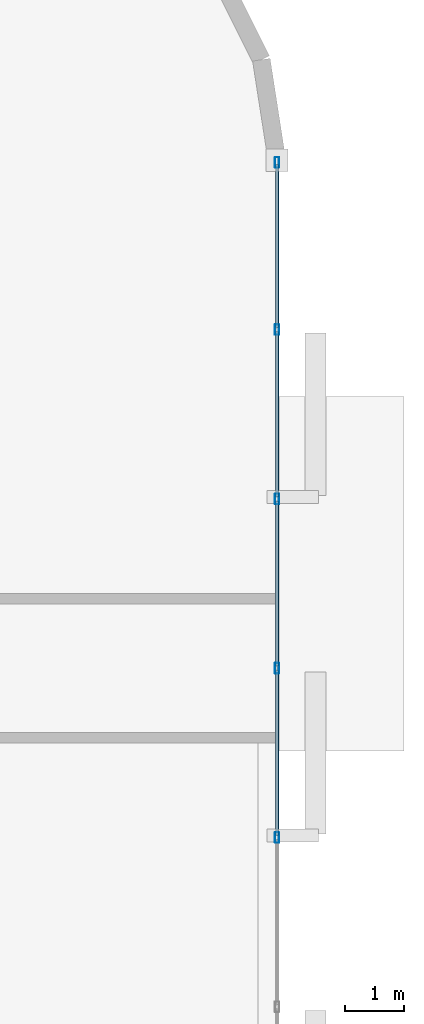
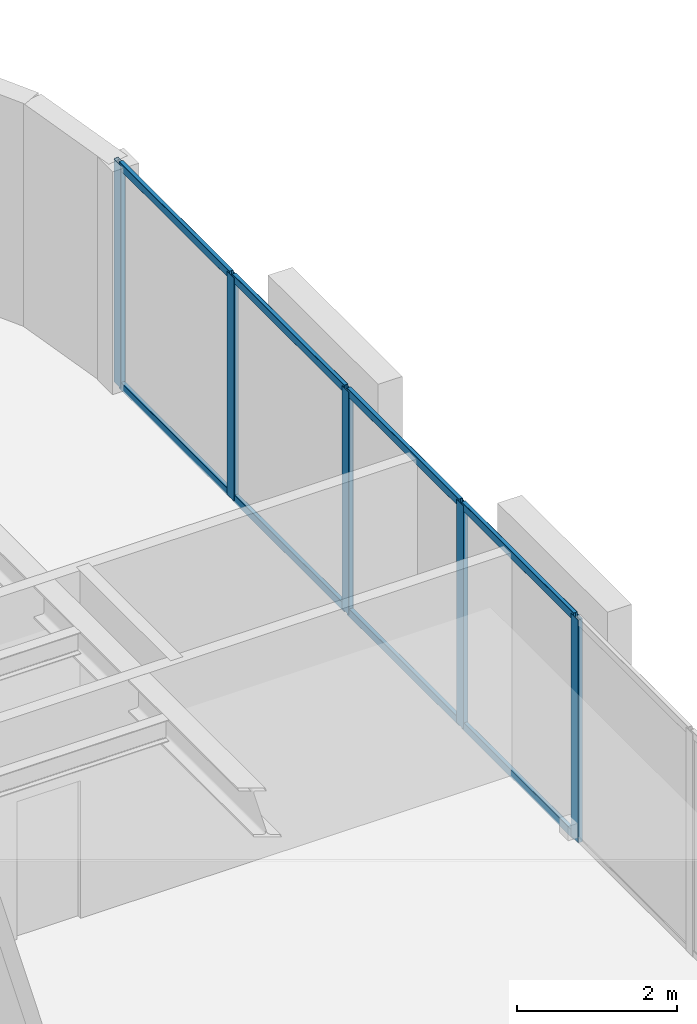
# One storey, part 6 of 16: 13 members, 1 element without a shape of its own.
"""IFC4 building model written with IfcOpenShell, lengths in metres."""

from ifc_helpers import new_model, si_unit, direction, frame, origin, origin_2d, place, context, subcontext, project, spatial, hollow_rectangle, extrude, material, layer, layer_set, material_profile, profile_set, type_object, element, aggregate, save


model = new_model("IFC4")

# Units and contexts
model_context = context("Model", 3, precision=1e-05, world=origin(), true_north=direction((0.0, 1.0)))
body_context = subcontext(model_context, "Body", "Model", "MODEL_VIEW")
ifc_project = project(units=[si_unit("LENGTHUNIT", "METRE"), si_unit("AREAUNIT", "SQUARE_METRE"), si_unit("VOLUMEUNIT", "CUBIC_METRE"), si_unit("PLANEANGLEUNIT", "RADIAN"), si_unit("MASSUNIT", "GRAM", prefix="KILO")], contexts=[model_context])

# Site, building, storey
site_placement = place(None, origin())
site = spatial("IfcSite", under=ifc_project, at=site_placement, CompositionType="ELEMENT")
building_placement = place(site_placement, origin())
building = spatial("IfcBuilding", under=site, at=building_placement, Name="An Khanh Terracotta Commons", CompositionType="ELEMENT")
storey_placement = place(building_placement, frame((0.0, 0.0, 118.699951171875)))
storey = spatial("IfcBuildingStorey", under=building, at=storey_placement, Name="L31", CompositionType="ELEMENT", Elevation=118.699951171875)

# Curtain wall, members
ifc_material = material(Name="Anodised Aluminium 6063-T6", Category="aluminium")
ifc_layer = layer(ifc_material, 0.199951171875, Name="Anodised Aluminium 6063-T6")
ifc_layer_set = layer_set([ifc_layer], Name="Anodised Aluminium 6063-T6")
curtain_wall_type = type_object("IfcCurtainWallType", Name="CW-SYS-02", PredefinedType="USERDEFINED", material=ifc_layer_set)
curtain_wall_placement = place(storey_placement, origin())
curtain_wall = element("IfcCurtainWall", 1, at=curtain_wall_placement, inside=storey, type_object=curtain_wall_type, Name="L31 CW-02 Unitised Curtain Wall CW-L31-12", ObjectType="UNITISED CURTAIN WALL", PredefinedType="USERDEFINED")
ifc_material_profile_1 = material_profile(ifc_material, hollow_rectangle(XDim=0.070068359375, YDim=0.179931640625, WallThickness=0.00390625, InnerFilletRadius=0.00390625, OuterFilletRadius=0.008056640625, at=origin_2d()), Name="RHS180x70x4")
ifc_profile_set_1 = profile_set([ifc_material_profile_1], Name="Anodised Aluminium 6063-T6")
member_type_1 = type_object("IfcMemberType", Name="CWM-RHS180x70x4", PredefinedType="MULLION", material=ifc_profile_set_1)
member_1_placement = place(storey_placement, frame((57.39990234375, 21.13330078125, 0.0), z_axis=(0.0, 0.0, 1.0), x_axis=(-1.0, 0.0, 0.0)))
member_1 = element("IfcMember", 2, at=member_1_placement, type_object=member_type_1, Name="CW-02 mullion 3", PredefinedType="MULLION", context=body_context, shape_type="SweptSolid", body=[
    extrude(hollow_rectangle(XDim=0.070068359375, YDim=0.179931640625, WallThickness=0.00390625, InnerFilletRadius=0.00390625, OuterFilletRadius=0.008056640625, at=origin_2d()), origin(), (0.0, 0.0, 1.0), 3.400146484375),
])
member_2_placement = place(storey_placement, frame((57.39990234375, 24.0, 0.0), z_axis=(0.0, 0.0, 1.0), x_axis=(-1.0, 0.0, 0.0)))
member_2 = element("IfcMember", 3, at=member_2_placement, type_object=member_type_1, Name="CW-02 mullion 4", PredefinedType="MULLION", context=body_context, shape_type="SweptSolid", body=[
    extrude(hollow_rectangle(XDim=0.070068359375, YDim=0.179931640625, WallThickness=0.00390625, InnerFilletRadius=0.00390625, OuterFilletRadius=0.008056640625, at=origin_2d()), origin(), (0.0, 0.0, 1.0), 3.400146484375),
])
member_3_placement = place(storey_placement, frame((57.39990234375, 26.86669921875, 0.0), z_axis=(0.0, 0.0, 1.0), x_axis=(-1.0, 0.0, 0.0)))
member_3 = element("IfcMember", 4, at=member_3_placement, type_object=member_type_1, Name="CW-02 mullion 5", PredefinedType="MULLION", context=body_context, shape_type="SweptSolid", body=[
    extrude(hollow_rectangle(XDim=0.070068359375, YDim=0.179931640625, WallThickness=0.00390625, InnerFilletRadius=0.00390625, OuterFilletRadius=0.008056640625, at=origin_2d()), origin(), (0.0, 0.0, 1.0), 3.400146484375),
])
member_4_placement = place(storey_placement, frame((57.39990234375, 29.7333984375, 0.0), z_axis=(0.0, 0.0, 1.0), x_axis=(-1.0, 0.0, 0.0)))
member_4 = element("IfcMember", 5, at=member_4_placement, type_object=member_type_1, Name="CW-02 mullion 6", PredefinedType="MULLION", context=body_context, shape_type="SweptSolid", body=[
    extrude(hollow_rectangle(XDim=0.070068359375, YDim=0.179931640625, WallThickness=0.00390625, InnerFilletRadius=0.00390625, OuterFilletRadius=0.008056640625, at=origin_2d()), origin(), (0.0, 0.0, 1.0), 3.400146484375),
])
member_5_placement = place(storey_placement, frame((57.39990234375, 32.56494140625, 0.0), z_axis=(0.0, 0.0, 1.0), x_axis=(-1.0, 0.0, 0.0)))
member_5 = element("IfcMember", 6, at=member_5_placement, type_object=member_type_1, Name="CW-02 mullion 7", PredefinedType="MULLION", context=body_context, shape_type="SweptSolid", body=[
    extrude(hollow_rectangle(XDim=0.070068359375, YDim=0.179931640625, WallThickness=0.00390625, InnerFilletRadius=0.00390625, OuterFilletRadius=0.008056640625, at=origin_2d()), origin(), (0.0, 0.0, 1.0), 3.400146484375),
])
ifc_material_profile_2 = material_profile(ifc_material, hollow_rectangle(XDim=0.06005859375, YDim=0.1201171875, WallThickness=0.003662109375, InnerFilletRadius=0.003662109375, OuterFilletRadius=0.007080078125, at=origin_2d()), Name="RHS120x60x3.6")
ifc_profile_set_2 = profile_set([ifc_material_profile_2], Name="Anodised Aluminium 6063-T6")
member_type_2 = type_object("IfcMemberType", Name="CWT-RHS120x60x3.6", PredefinedType="USERDEFINED", material=ifc_profile_set_2)
member_6_placement = place(storey_placement, frame((57.39990234375, 21.168212890625, 0.030029296875), z_axis=(0.0, 1.0, 0.0), x_axis=(-1.0, 0.0, 0.0)))
member_6 = element("IfcMember", 7, at=member_6_placement, type_object=member_type_2, Name="CW-02 transom 3.1", ObjectType="TRANSOM", PredefinedType="USERDEFINED", context=body_context, shape_type="SweptSolid", body=[
    extrude(hollow_rectangle(XDim=0.06005859375, YDim=0.1201171875, WallThickness=0.003662109375, InnerFilletRadius=0.003662109375, OuterFilletRadius=0.007080078125, at=origin_2d()), origin(), (0.0, 0.0, 1.0), 2.796875),
])
member_7_placement = place(storey_placement, frame((57.39990234375, 21.168212890625, 3.3701171875), z_axis=(0.0, 1.0, 0.0), x_axis=(-1.0, 0.0, 0.0)))
member_7 = element("IfcMember", 8, at=member_7_placement, type_object=member_type_2, Name="CW-02 transom 3.2", ObjectType="TRANSOM", PredefinedType="USERDEFINED", context=body_context, shape_type="SweptSolid", body=[
    extrude(hollow_rectangle(XDim=0.06005859375, YDim=0.1201171875, WallThickness=0.003662109375, InnerFilletRadius=0.003662109375, OuterFilletRadius=0.007080078125, at=origin_2d()), origin(), (0.0, 0.0, 1.0), 2.796875),
])
member_8_placement = place(storey_placement, frame((57.39990234375, 24.034912109375, 0.030029296875), z_axis=(0.0, 1.0, 0.0), x_axis=(-1.0, 0.0, 0.0)))
member_8 = element("IfcMember", 9, at=member_8_placement, type_object=member_type_2, Name="CW-02 transom 4.1", ObjectType="TRANSOM", PredefinedType="USERDEFINED", context=body_context, shape_type="SweptSolid", body=[
    extrude(hollow_rectangle(XDim=0.06005859375, YDim=0.1201171875, WallThickness=0.003662109375, InnerFilletRadius=0.003662109375, OuterFilletRadius=0.007080078125, at=origin_2d()), origin(), (0.0, 0.0, 1.0), 2.796875),
])
member_9_placement = place(storey_placement, frame((57.39990234375, 24.034912109375, 3.3701171875), z_axis=(0.0, 1.0, 0.0), x_axis=(-1.0, 0.0, 0.0)))
member_9 = element("IfcMember", 10, at=member_9_placement, type_object=member_type_2, Name="CW-02 transom 4.2", ObjectType="TRANSOM", PredefinedType="USERDEFINED", context=body_context, shape_type="SweptSolid", body=[
    extrude(hollow_rectangle(XDim=0.06005859375, YDim=0.1201171875, WallThickness=0.003662109375, InnerFilletRadius=0.003662109375, OuterFilletRadius=0.007080078125, at=origin_2d()), origin(), (0.0, 0.0, 1.0), 2.796875),
])
member_10_placement = place(storey_placement, frame((57.39990234375, 26.901611328125, 0.030029296875), z_axis=(0.0, 1.0, 0.0), x_axis=(-1.0, 0.0, 0.0)))
member_10 = element("IfcMember", 11, at=member_10_placement, type_object=member_type_2, Name="CW-02 transom 5.1", ObjectType="TRANSOM", PredefinedType="USERDEFINED", context=body_context, shape_type="SweptSolid", body=[
    extrude(hollow_rectangle(XDim=0.06005859375, YDim=0.1201171875, WallThickness=0.003662109375, InnerFilletRadius=0.003662109375, OuterFilletRadius=0.007080078125, at=origin_2d()), origin(), (0.0, 0.0, 1.0), 2.796630859375),
])
member_11_placement = place(storey_placement, frame((57.39990234375, 26.901611328125, 3.3701171875), z_axis=(0.0, 1.0, 0.0), x_axis=(-1.0, 0.0, 0.0)))
member_11 = element("IfcMember", 12, at=member_11_placement, type_object=member_type_2, Name="CW-02 transom 5.2", ObjectType="TRANSOM", PredefinedType="USERDEFINED", context=body_context, shape_type="SweptSolid", body=[
    extrude(hollow_rectangle(XDim=0.06005859375, YDim=0.1201171875, WallThickness=0.003662109375, InnerFilletRadius=0.003662109375, OuterFilletRadius=0.007080078125, at=origin_2d()), origin(), (0.0, 0.0, 1.0), 2.796630859375),
])
member_12_placement = place(storey_placement, frame((57.39990234375, 29.768310546875, 0.030029296875), z_axis=(0.0, 1.0, 0.0), x_axis=(-1.0, 0.0, 0.0)))
member_12 = element("IfcMember", 13, at=member_12_placement, type_object=member_type_2, Name="CW-02 transom 6.1", ObjectType="TRANSOM", PredefinedType="USERDEFINED", context=body_context, shape_type="SweptSolid", body=[
    extrude(hollow_rectangle(XDim=0.06005859375, YDim=0.1201171875, WallThickness=0.003662109375, InnerFilletRadius=0.003662109375, OuterFilletRadius=0.007080078125, at=origin_2d()), origin(), (0.0, 0.0, 1.0), 2.76171875),
])
member_13_placement = place(storey_placement, frame((57.39990234375, 29.768310546875, 3.3701171875), z_axis=(0.0, 1.0, 0.0), x_axis=(-1.0, 0.0, 0.0)))
member_13 = element("IfcMember", 14, at=member_13_placement, type_object=member_type_2, Name="CW-02 transom 6.2", ObjectType="TRANSOM", PredefinedType="USERDEFINED", context=body_context, shape_type="SweptSolid", body=[
    extrude(hollow_rectangle(XDim=0.06005859375, YDim=0.1201171875, WallThickness=0.003662109375, InnerFilletRadius=0.003662109375, OuterFilletRadius=0.007080078125, at=origin_2d()), origin(), (0.0, 0.0, 1.0), 2.76171875),
])
aggregate(curtain_wall, [member_1, member_2, member_3, member_4, member_5, member_6, member_7, member_8, member_9, member_10, member_11, member_12, member_13])

save(model, "model.ifc")
